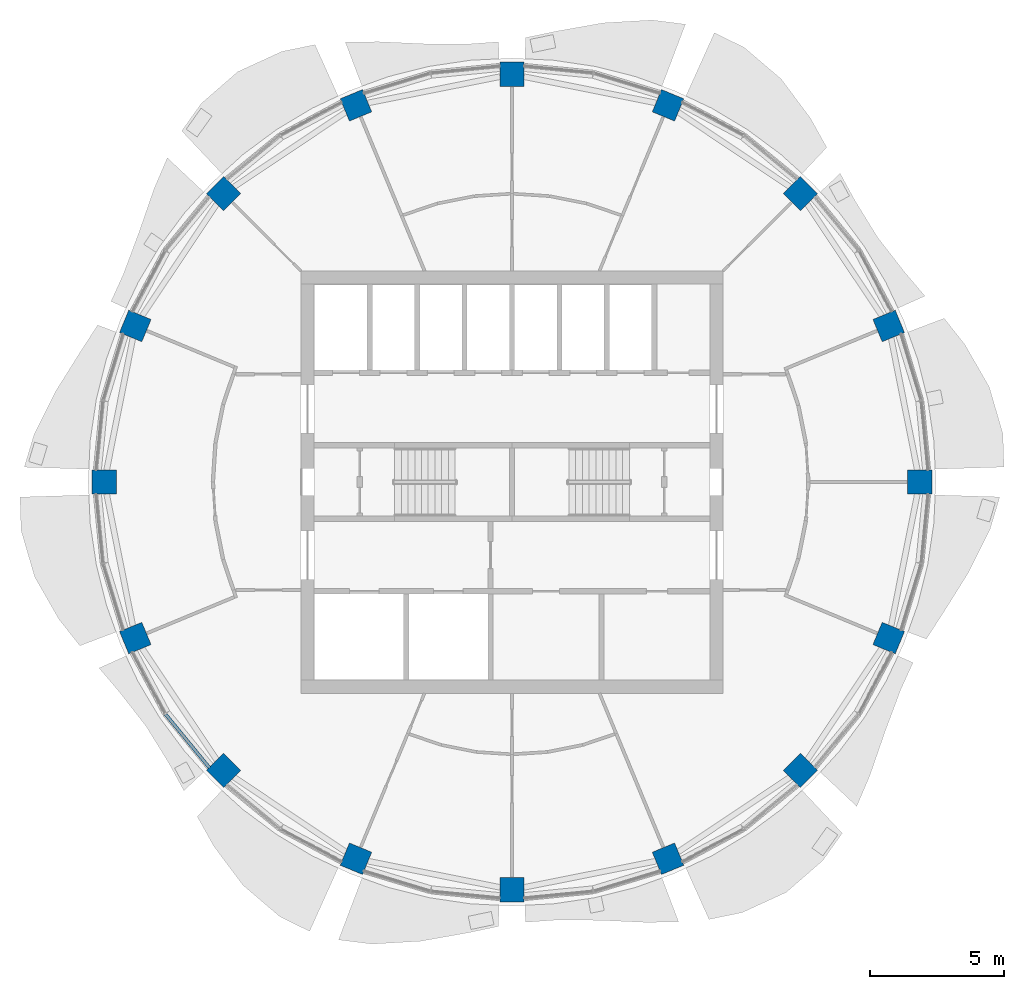
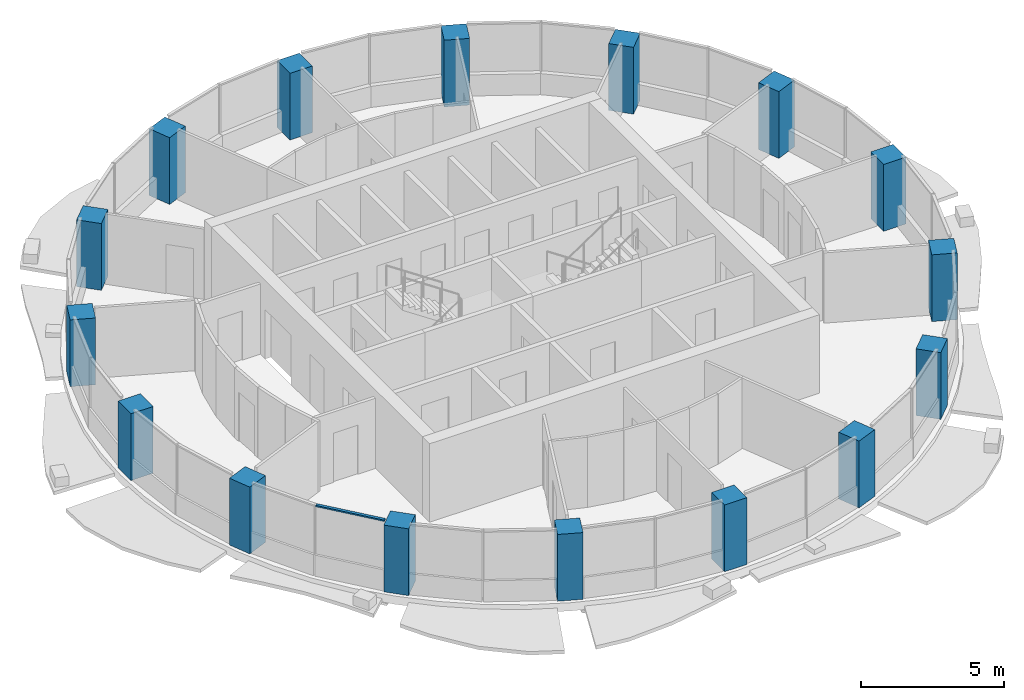
# One storey, part 1 of 14: 16 columns, 1 member, 1 element without a shape of its own.
"""IFC4 building model written with IfcOpenShell, lengths in metres."""

from ifc_helpers import new_model, si_unit, direction, frame, origin, origin_2d, place, context, subcontext, project, spatial, rectangle, extrude, material, material_profile, profile_set, type_object, element, aggregate, save


model = new_model("IFC4")

# Units and contexts
model_context = context("Model", 3, precision=1e-05, world=origin(), true_north=direction((0.0, 1.0)))
body_context = subcontext(model_context, "Body", "Model", "MODEL_VIEW")
ifc_project = project(units=[si_unit("LENGTHUNIT", "METRE"), si_unit("AREAUNIT", "SQUARE_METRE"), si_unit("VOLUMEUNIT", "CUBIC_METRE"), si_unit("PLANEANGLEUNIT", "RADIAN"), si_unit("MASSUNIT", "GRAM", prefix="KILO")], contexts=[model_context])

# Site, building, storey
site_placement = place(None, origin())
site = spatial("IfcSite", under=ifc_project, at=site_placement, CompositionType="ELEMENT")
building_placement = place(site_placement, origin())
building = spatial("IfcBuilding", under=site, at=building_placement, Name="Polderwave Tower", CompositionType="ELEMENT")
storey_placement = place(building_placement, frame((0.0, 0.0, 221.14990234375)))
storey = spatial("IfcBuildingStorey", under=building, at=storey_placement, Name="L60", CompositionType="ELEMENT", Elevation=221.14990234375)

# Columns
ifc_material_1 = material(Name="Concrete C60/75", Category="concrete")
ifc_material_profile_1 = material_profile(ifc_material_1, rectangle(XDim=0.89990234375, YDim=0.89990234375, at=origin_2d()), Name="RC 900x900")
ifc_profile_set_1 = profile_set([ifc_material_profile_1], Name="Concrete C60/75")
column_type = type_object("IfcColumnType", Name="RC COLUMN 900x900 C60/75", PredefinedType="COLUMN", material=ifc_profile_set_1)
for number, where, z_axis, x_axis, name in (
    (1, (15.199951171875, 0.0, 0.0), (0.0, 0.0, 1.0), (1.0, 0.0, 0.0), "Ring column 01"),
    (2, (14.04296875, 5.81689453125, 0.0), (0.0, 0.0, 1.0), (0.923879532511, 0.382683432365, 0.0), "Ring column 02"),
    (3, (10.748046875, 10.748046875, 0.0), (0.0, 0.0, 1.0), (0.707106781187, 0.707106781187, 0.0), "Ring column 03"),
    (4, (5.81689453125, 14.04296875, 0.0), (0.0, 0.0, 1.0), (0.382683432365, 0.923879532511, 0.0), "Ring column 04"),
    (5, (0.0, 15.199951171875, 0.0), (0.0, 0.0, 1.0), (0.0, 1.0, 0.0), "Ring column 05"),
    (6, (-5.81689453125, 14.04296875, 0.0), (0.0, 0.0, 1.0), (-0.382683432365, 0.923879532511, 0.0), "Ring column 06"),
    (7, (-10.748046875, 10.748046875, 0.0), (0.0, 0.0, 1.0), (-0.707106781187, 0.707106781187, 0.0), "Ring column 07"),
    (8, (-14.04296875, 5.81689453125, 0.0), (0.0, 0.0, 1.0), (-0.923879532511, 0.382683432365, 0.0), "Ring column 08"),
    (9, (-15.199951171875, 0.0, 0.0), (0.0, 0.0, 1.0), (-1.0, 0.0, 0.0), "Ring column 09"),
    (10, (-14.04296875, -5.81689453125, 0.0), (0.0, 0.0, 1.0), (-0.923879532511, -0.382683432365, 0.0), "Ring column 10"),
    (11, (-10.748046875, -10.748046875, 0.0), (0.0, 0.0, 1.0), (-0.707106781187, -0.707106781187, 0.0), "Ring column 11"),
    (12, (-5.81689453125, -14.04296875, 0.0), (0.0, 0.0, 1.0), (-0.382683432365, -0.923879532511, 0.0), "Ring column 12"),
    (13, (0.0, -15.199951171875, 0.0), (0.0, 0.0, 1.0), (0.0, -1.0, 0.0), "Ring column 13"),
    (14, (5.81689453125, -14.04296875, 0.0), (0.0, 0.0, 1.0), (0.382683432365, -0.923879532511, 0.0), "Ring column 14"),
    (15, (10.748046875, -10.748046875, 0.0), (0.0, 0.0, 1.0), (0.707106781187, -0.707106781187, 0.0), "Ring column 15"),
    (16, (14.04296875, -5.81689453125, 0.0), (0.0, 0.0, 1.0), (0.923879532511, -0.382683432365, 0.0), "Ring column 16"),
):
    element("IfcColumn", number, at=place(storey_placement, frame(where, z_axis=z_axis, x_axis=x_axis)), inside=storey, type_object=column_type, Name=name, PredefinedType="COLUMN", context=body_context, shape_type="SweptSolid", body=[
        extrude(rectangle(XDim=0.89990234375, YDim=0.89990234375, at=origin_2d()), origin(), (0.0, 0.0, 1.0), 2.85009765625),
    ])

# Curtain wall, member
ifc_material_2 = material(Name="Aluminium 6063-T6 and glass", Category="aluminium")
curtain_wall_type = type_object("IfcCurtainWallType", Name="Office ribbon glazing wall", PredefinedType="NOTDEFINED", material=ifc_material_2)
curtain_wall_placement = place(storey_placement, origin())
curtain_wall = element("IfcCurtainWall", 17, at=curtain_wall_placement, inside=storey, type_object=curtain_wall_type, Name="CW3 L60 09", PredefinedType="NOTDEFINED")
ifc_material_3 = material(Name="Aluminium 6063-T6", Category="aluminium")
ifc_material_profile_2 = material_profile(ifc_material_3, rectangle(XDim=0.1201171875, YDim=0.06005859375, at=origin_2d()), Name="AL 60x120")
ifc_profile_set_2 = profile_set([ifc_material_profile_2], Name="Aluminium 6063-T6")
member_type = type_object("IfcMemberType", Name="Office ribbon glazing transom 60x120", PredefinedType="USERDEFINED", material=ifc_profile_set_2)
member_placement = place(storey_placement, frame((-12.91162109375, -8.660400390625, 2.97021484375), z_axis=(0.634417102491, -0.772990905552, 0.0), x_axis=(0.772990905552, 0.634417102491, 0.0)))
member = element("IfcMember", 18, at=member_placement, type_object=member_type, Name="CW3 transom 2", ObjectType="TRANSOM", PredefinedType="USERDEFINED", context=body_context, shape_type="SweptSolid", body=[
    extrude(rectangle(XDim=0.1201171875, YDim=0.06005859375, at=origin_2d()), origin(), (0.0, 0.0, 1.0), 2.568603515625),
])
aggregate(curtain_wall, [member])

save(model, "model.ifc")
